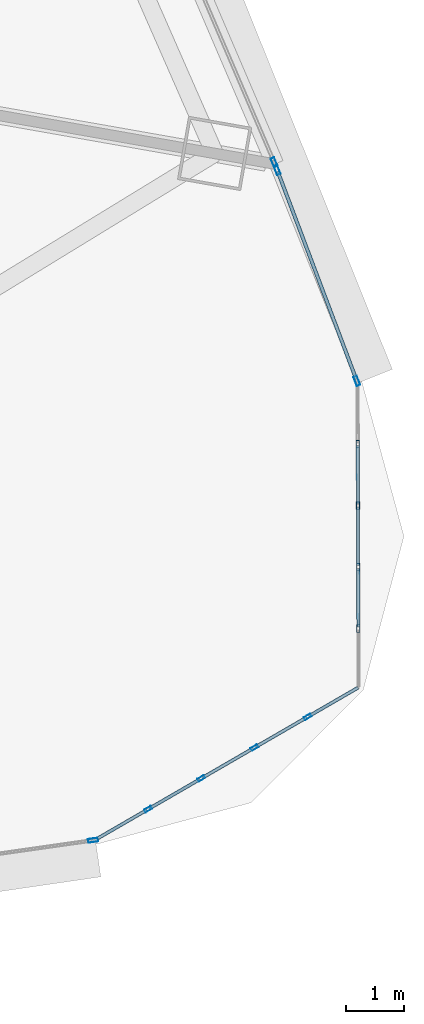
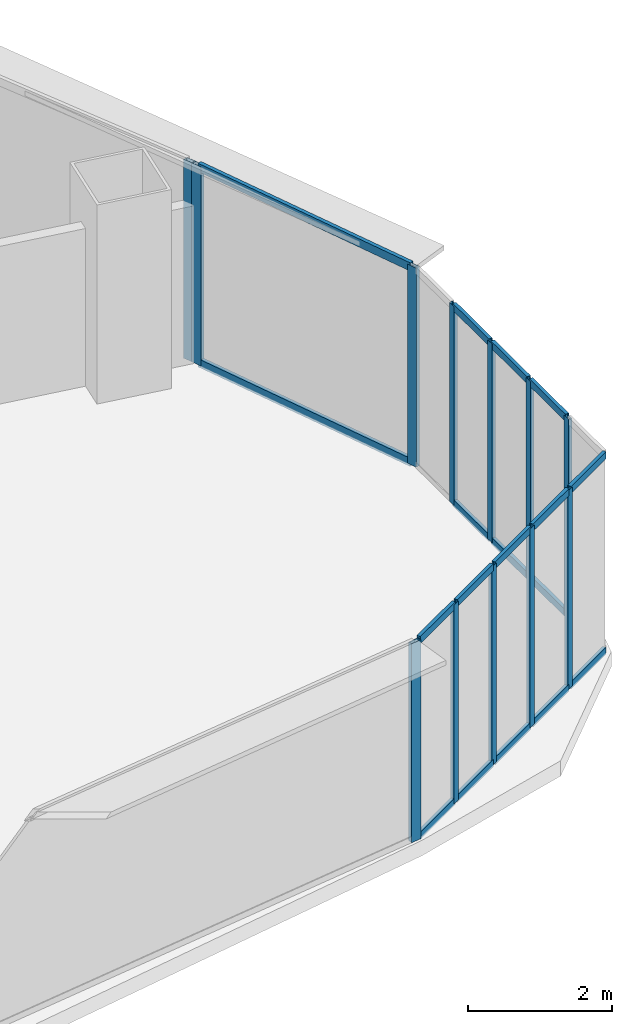
# One storey, part 22 of 40: 30 members, 5 elements without a shape of their own.
"""IFC4 building model written with IfcOpenShell, lengths in metres."""

from ifc_helpers import new_model, si_unit, direction, frame, origin, origin_2d, place, context, subcontext, project, spatial, hollow_rectangle, extrude, source, transform, mapped, material, layer, layer_set, material_profile, profile_set, type_object, element, aggregate, save


model = new_model("IFC4")

# Units and contexts
model_context = context("Model", 3, precision=1e-05, world=origin(), true_north=direction((0.0, 1.0)))
body_context = subcontext(model_context, "Body", "Model", "MODEL_VIEW")
ifc_project = project(units=[si_unit("LENGTHUNIT", "METRE"), si_unit("AREAUNIT", "SQUARE_METRE"), si_unit("VOLUMEUNIT", "CUBIC_METRE"), si_unit("PLANEANGLEUNIT", "RADIAN"), si_unit("MASSUNIT", "GRAM", prefix="KILO"), si_unit("THERMODYNAMICTEMPERATUREUNIT", "KELVIN"), si_unit("POWERUNIT", "WATT")], contexts=[model_context])

# Site, building, storey
site_placement = place(None, origin())
site = spatial("IfcSite", under=ifc_project, at=site_placement, CompositionType="ELEMENT")
building_placement = place(site_placement, origin())
building = spatial("IfcBuilding", under=site, at=building_placement, Name="Yunzhuo Pagoda Commons", CompositionType="ELEMENT")
storey_placement = place(building_placement, frame((0.0, 0.0, 66.699951171875)))
storey = spatial("IfcBuildingStorey", under=building, at=storey_placement, Name="L17", CompositionType="ELEMENT", Elevation=66.699951171875)

# Curtain wall, member
ifc_material = material(Name="Anodized aluminium 6063-T6", Category="aluminium")
ifc_layer_1 = layer(ifc_material, 0.1650390625)
ifc_layer_set_1 = layer_set([ifc_layer_1], Name="Anodized aluminium 6063-T6")
curtain_wall_type_1 = type_object("IfcCurtainWallType", Name="CW-LOW Low-Zone Ribbon Curtain Wall", PredefinedType="NOTDEFINED", material=ifc_layer_set_1)
curtain_wall_1_placement = place(storey_placement, origin())
curtain_wall_1 = element("IfcCurtainWall", 1, at=curtain_wall_1_placement, inside=storey, type_object=curtain_wall_type_1, Name="L17 curtain wall CW-L17-F1B5", PredefinedType="NOTDEFINED")
ifc_material_profile_1 = material_profile(ifc_material, hollow_rectangle(XDim=0.06494140625, YDim=0.1650390625, WallThickness=0.00390625, at=origin_2d()), Name="Anodized aluminium 6063-T6")
ifc_profile_set_1 = profile_set([ifc_material_profile_1], Name="Anodized aluminium 6063-T6")
member_type_1 = type_object("IfcMemberType", Name="CW-LOW-M Mullion RHS 165x65x4", PredefinedType="MULLION", material=ifc_profile_set_1)
shared_shape_1 = source(origin(), body_context, "Body", "SweptSolid", [
    extrude(hollow_rectangle(XDim=0.06494140625, YDim=0.1650390625, WallThickness=0.00390625, at=origin_2d()), origin(), (0.0, 0.0, 1.0), 3.3701171875),
])
member_1_placement = place(storey_placement, frame((85.9619140625, 14.861083984375, 0.0), z_axis=(0.0, 0.0, 1.0), x_axis=(-0.141139872999, 0.989989664719, 0.0)))
member_1 = element("IfcMember", 2, at=member_1_placement, type_object=member_type_1, Name="CW mullion 2", PredefinedType="MULLION", context=body_context, shape_type="MappedRepresentation", body=[
    mapped(shared_shape_1, transform((0.0, 0.0, 0.0), scale=1.0)),
])
aggregate(curtain_wall_1, [member_1])

curtain_wall_2_placement = place(storey_placement, origin())
curtain_wall_2 = element("IfcCurtainWall", 3, at=curtain_wall_2_placement, inside=storey, type_object=curtain_wall_type_1, Name="L17 curtain wall CW-L17-F2B2", PredefinedType="NOTDEFINED")
member_2_placement = place(storey_placement, frame((89.06884765625, 26.486083984375, 0.0), z_axis=(0.0, 0.0, 1.0), x_axis=(-0.919121093161, -0.39397514656, 0.0)))
member_2 = element("IfcMember", 4, at=member_2_placement, type_object=member_type_1, Name="CW mullion 1", PredefinedType="MULLION", context=body_context, shape_type="MappedRepresentation", body=[
    mapped(shared_shape_1, transform((0.0, 0.0, 0.0), scale=1.0)),
])
aggregate(curtain_wall_2, [member_2])

# Curtain wall, members
curtain_wall_3_placement = place(storey_placement, origin())
curtain_wall_3 = element("IfcCurtainWall", 5, at=curtain_wall_3_placement, inside=storey, type_object=curtain_wall_type_1, Name="L17 curtain wall CW-L17-F2B1", PredefinedType="NOTDEFINED")
member_3_placement = place(storey_placement, frame((90.485595703125, 22.738525390625, 0.0), z_axis=(0.0, 0.0, 1.0), x_axis=(-0.9355133863, -0.353291245367, 0.0)))
member_3 = element("IfcMember", 6, at=member_3_placement, type_object=member_type_1, Name="CW mullion 1", PredefinedType="MULLION", context=body_context, shape_type="MappedRepresentation", body=[
    mapped(shared_shape_1, transform((0.0, 0.0, 0.0), scale=1.0)),
])
member_4_placement = place(storey_placement, frame((89.11962890625, 26.355712890625, 0.0), z_axis=(0.0, 0.0, 1.0), x_axis=(-0.9355133863, -0.353291245367, 0.0)))
member_4 = element("IfcMember", 7, at=member_4_placement, type_object=member_type_1, Name="CW mullion 2", PredefinedType="MULLION", context=body_context, shape_type="MappedRepresentation", body=[
    mapped(shared_shape_1, transform((0.0, 0.0, 0.0), scale=1.0)),
])

ifc_layer_2 = layer(ifc_material, 0.1298828125)
ifc_layer_set_2 = layer_set([ifc_layer_2], Name="Anodized aluminium 6063-T6")
curtain_wall_type_2 = type_object("IfcCurtainWallType", Name="CW-VTX Rounded Corner Curtain Wall", PredefinedType="NOTDEFINED", material=ifc_layer_set_2)
curtain_wall_4_placement = place(storey_placement, origin())
curtain_wall_4 = element("IfcCurtainWall", 8, at=curtain_wall_4_placement, inside=storey, type_object=curtain_wall_type_2, Name="L17 curtain wall CW-L17-VTX2S1", PredefinedType="NOTDEFINED")
ifc_material_profile_2 = material_profile(ifc_material, hollow_rectangle(XDim=0.054931640625, YDim=0.1298828125, WallThickness=0.00341796875, at=origin_2d()), Name="Anodized aluminium 6063-T6")
ifc_profile_set_2 = profile_set([ifc_material_profile_2], Name="Anodized aluminium 6063-T6")
member_type_2 = type_object("IfcMemberType", Name="CW-VTX-M Mullion RHS 130x55x3.5", PredefinedType="MULLION", material=ifc_profile_set_2)
shared_shape_2 = source(origin(), body_context, "Body", "SweptSolid", [
    extrude(hollow_rectangle(XDim=0.054931640625, YDim=0.1298828125, WallThickness=0.00341796875, at=origin_2d()), origin(), (0.0, 0.0, 1.0), 3.3701171875),
])
member_5_placement = place(storey_placement, frame((86.906494140625, 15.393798828125, 0.0), z_axis=(0.0, 0.0, 1.0), x_axis=(-0.501038514064, 0.865424986596, 0.0)))
member_5 = element("IfcMember", 9, at=member_5_placement, type_object=member_type_2, Name="CW mullion 2", PredefinedType="MULLION", context=body_context, shape_type="MappedRepresentation", body=[
    mapped(shared_shape_2, transform((0.0, 0.0, 0.0), scale=1.0)),
])
member_6_placement = place(storey_placement, frame((87.81884765625, 15.922119140625, 0.0), z_axis=(0.0, 0.0, 1.0), x_axis=(-0.501038514064, 0.865424986596, 0.0)))
member_6 = element("IfcMember", 10, at=member_6_placement, type_object=member_type_2, Name="CW mullion 3", PredefinedType="MULLION", context=body_context, shape_type="MappedRepresentation", body=[
    mapped(shared_shape_2, transform((0.0, 0.0, 0.0), scale=1.0)),
])
member_7_placement = place(storey_placement, frame((88.731201171875, 16.4501953125, 0.0), z_axis=(0.0, 0.0, 1.0), x_axis=(-0.501038514064, 0.865424986596, 0.0)))
member_7 = element("IfcMember", 11, at=member_7_placement, type_object=member_type_2, Name="CW mullion 4", PredefinedType="MULLION", context=body_context, shape_type="MappedRepresentation", body=[
    mapped(shared_shape_2, transform((0.0, 0.0, 0.0), scale=1.0)),
])
member_8_placement = place(storey_placement, frame((89.6435546875, 16.978515625, 0.0), z_axis=(0.0, 0.0, 1.0), x_axis=(-0.501038514064, 0.865424986596, 0.0)))
member_8 = element("IfcMember", 12, at=member_8_placement, type_object=member_type_2, Name="CW mullion 5", PredefinedType="MULLION", context=body_context, shape_type="MappedRepresentation", body=[
    mapped(shared_shape_2, transform((0.0, 0.0, 0.0), scale=1.0)),
])

curtain_wall_5_placement = place(storey_placement, origin())
curtain_wall_5 = element("IfcCurtainWall", 13, at=curtain_wall_5_placement, inside=storey, type_object=curtain_wall_type_2, Name="L17 curtain wall CW-L17-VTX2S2", PredefinedType="NOTDEFINED")
member_9_placement = place(storey_placement, frame((90.51220703125, 18.4912109375, 0.0), z_axis=(0.0, 0.0, 1.0), x_axis=(-0.999993571837, -0.003585566294, 0.0)))
member_9 = element("IfcMember", 14, at=member_9_placement, type_object=member_type_2, Name="CW mullion 2", PredefinedType="MULLION", context=body_context, shape_type="MappedRepresentation", body=[
    mapped(shared_shape_2, transform((0.0, 0.0, 0.0), scale=1.0)),
])
member_10_placement = place(storey_placement, frame((90.508544921875, 19.545654296875, 0.0), z_axis=(0.0, 0.0, 1.0), x_axis=(-0.999993571837, -0.003585566294, 0.0)))
member_10 = element("IfcMember", 15, at=member_10_placement, type_object=member_type_2, Name="CW mullion 3", PredefinedType="MULLION", context=body_context, shape_type="MappedRepresentation", body=[
    mapped(shared_shape_2, transform((0.0, 0.0, 0.0), scale=1.0)),
])
member_11_placement = place(storey_placement, frame((90.504638671875, 20.60009765625, 0.0), z_axis=(0.0, 0.0, 1.0), x_axis=(-0.999993571837, -0.003585566294, 0.0)))
member_11 = element("IfcMember", 16, at=member_11_placement, type_object=member_type_2, Name="CW mullion 4", PredefinedType="MULLION", context=body_context, shape_type="MappedRepresentation", body=[
    mapped(shared_shape_2, transform((0.0, 0.0, 0.0), scale=1.0)),
])
member_12_placement = place(storey_placement, frame((90.5009765625, 21.654052734375, 0.0), z_axis=(0.0, 0.0, 1.0), x_axis=(-0.999993571837, -0.003585566294, 0.0)))
member_12 = element("IfcMember", 17, at=member_12_placement, type_object=member_type_2, Name="CW mullion 5", PredefinedType="MULLION", context=body_context, shape_type="MappedRepresentation", body=[
    mapped(shared_shape_2, transform((0.0, 0.0, 0.0), scale=1.0)),
])

# Member
ifc_material_profile_3 = material_profile(ifc_material, hollow_rectangle(XDim=0.06005859375, YDim=0.139892578125, WallThickness=0.00341796875, at=origin_2d()), Name="Anodized aluminium 6063-T6")
ifc_profile_set_3 = profile_set([ifc_material_profile_3], Name="Anodized aluminium 6063-T6")
member_type_3 = type_object("IfcMemberType", Name="CW-LOW-T Transom RHS 140x60x3.5", PredefinedType="USERDEFINED", material=ifc_profile_set_3)
shared_shape_3 = source(origin(), body_context, "Body", "SweptSolid", [
    extrude(hollow_rectangle(XDim=0.06005859375, YDim=0.139892578125, WallThickness=0.00341796875, at=origin_2d()), origin(), (0.0, 0.0, 1.0), 3.80126953125),
])
member_13_placement = place(storey_placement, frame((90.47412109375, 22.76904296875, 0.0302734375), z_axis=(-0.353248184637, 0.935529646805, 0.0), x_axis=(-0.935529646805, -0.353248184637, 0.0)))
member_13 = element("IfcMember", 18, at=member_13_placement, type_object=member_type_3, Name="CW transom 1.1", ObjectType="TRANSOM", PredefinedType="USERDEFINED", context=body_context, shape_type="MappedRepresentation", body=[
    mapped(shared_shape_3, transform((0.0, 0.0, 0.0), scale=1.0)),
])

member_14_placement = place(storey_placement, frame((90.47412109375, 22.76904296875, 3.340087890625), z_axis=(-0.353248184637, 0.935529646805, 0.0), x_axis=(-0.935529646805, -0.353248184637, 0.0)))
member_14 = element("IfcMember", 19, at=member_14_placement, type_object=member_type_3, Name="CW transom 1.2", ObjectType="TRANSOM", PredefinedType="USERDEFINED", context=body_context, shape_type="MappedRepresentation", body=[
    mapped(shared_shape_3, transform((0.0, 0.0, 0.0), scale=1.0)),
])

aggregate(curtain_wall_3, [member_3, member_4, member_13, member_14])

ifc_material_profile_4 = material_profile(ifc_material, hollow_rectangle(XDim=0.054931640625, YDim=0.1201171875, WallThickness=0.00341796875, at=origin_2d()), Name="Anodized aluminium 6063-T6")
ifc_profile_set_4 = profile_set([ifc_material_profile_4], Name="Anodized aluminium 6063-T6")
member_type_4 = type_object("IfcMemberType", Name="CW-VTX-T Transom RHS 120x55x3.5", PredefinedType="USERDEFINED", material=ifc_profile_set_4)
shared_shape_4 = source(origin(), body_context, "Body", "SweptSolid", [
    extrude(hollow_rectangle(XDim=0.054931640625, YDim=0.1201171875, WallThickness=0.00341796875, at=origin_2d()), origin(), (0.0, 0.0, 1.0), 0.999267578125),
])
member_15_placement = place(storey_placement, frame((86.930419921875, 15.407470703125, 0.027587890625), z_axis=(0.86538725222, 0.501103685574, 0.0), x_axis=(-0.501103685574, 0.86538725222, 0.0)))
member_15 = element("IfcMember", 20, at=member_15_placement, type_object=member_type_4, Name="CW transom 2.1", ObjectType="TRANSOM", PredefinedType="USERDEFINED", context=body_context, shape_type="MappedRepresentation", body=[
    mapped(shared_shape_4, transform((0.0, 0.0, 0.0), scale=1.0)),
])

member_16_placement = place(storey_placement, frame((86.930419921875, 15.407470703125, 3.3427734375), z_axis=(0.86538725222, 0.501103685574, 0.0), x_axis=(-0.501103685574, 0.86538725222, 0.0)))
member_16 = element("IfcMember", 21, at=member_16_placement, type_object=member_type_4, Name="CW transom 2.2", ObjectType="TRANSOM", PredefinedType="USERDEFINED", context=body_context, shape_type="MappedRepresentation", body=[
    mapped(shared_shape_4, transform((0.0, 0.0, 0.0), scale=1.0)),
])

member_17_placement = place(storey_placement, frame((88.755126953125, 16.4638671875, 0.027587890625), z_axis=(0.86538725222, 0.501103685574, 0.0), x_axis=(-0.501103685574, 0.86538725222, 0.0)))
member_17 = element("IfcMember", 22, at=member_17_placement, type_object=member_type_4, Name="CW transom 4.1", ObjectType="TRANSOM", PredefinedType="USERDEFINED", context=body_context, shape_type="MappedRepresentation", body=[
    mapped(shared_shape_4, transform((0.0, 0.0, 0.0), scale=1.0)),
])

member_18_placement = place(storey_placement, frame((88.755126953125, 16.4638671875, 3.3427734375), z_axis=(0.86538725222, 0.501103685574, 0.0), x_axis=(-0.501103685574, 0.86538725222, 0.0)))
member_18 = element("IfcMember", 23, at=member_18_placement, type_object=member_type_4, Name="CW transom 4.2", ObjectType="TRANSOM", PredefinedType="USERDEFINED", context=body_context, shape_type="MappedRepresentation", body=[
    mapped(shared_shape_4, transform((0.0, 0.0, 0.0), scale=1.0)),
])

member_19_placement = place(storey_placement, frame((90.51220703125, 18.518798828125, 0.027587890625), z_axis=(-0.00366476894, 0.999993284712, 0.0), x_axis=(-0.999993284712, -0.00366476894, 0.0)))
member_19 = element("IfcMember", 24, at=member_19_placement, type_object=member_type_4, Name="CW transom 2.1", ObjectType="TRANSOM", PredefinedType="USERDEFINED", context=body_context, shape_type="MappedRepresentation", body=[
    mapped(shared_shape_4, transform((0.0, 0.0, 0.0), scale=1.0)),
])

member_20_placement = place(storey_placement, frame((90.51220703125, 18.518798828125, 3.3427734375), z_axis=(-0.00366476894, 0.999993284712, 0.0), x_axis=(-0.999993284712, -0.00366476894, 0.0)))
member_20 = element("IfcMember", 25, at=member_20_placement, type_object=member_type_4, Name="CW transom 2.2", ObjectType="TRANSOM", PredefinedType="USERDEFINED", context=body_context, shape_type="MappedRepresentation", body=[
    mapped(shared_shape_4, transform((0.0, 0.0, 0.0), scale=1.0)),
])

member_21_placement = place(storey_placement, frame((90.50830078125, 19.572998046875, 0.027587890625), z_axis=(-0.00366476894, 0.999993284712, 0.0), x_axis=(-0.999993284712, -0.00366476894, 0.0)))
member_21 = element("IfcMember", 26, at=member_21_placement, type_object=member_type_4, Name="CW transom 3.1", ObjectType="TRANSOM", PredefinedType="USERDEFINED", context=body_context, shape_type="MappedRepresentation", body=[
    mapped(shared_shape_4, transform((0.0, 0.0, 0.0), scale=1.0)),
])

member_22_placement = place(storey_placement, frame((90.50830078125, 19.572998046875, 3.3427734375), z_axis=(-0.00366476894, 0.999993284712, 0.0), x_axis=(-0.999993284712, -0.00366476894, 0.0)))
member_22 = element("IfcMember", 27, at=member_22_placement, type_object=member_type_4, Name="CW transom 3.2", ObjectType="TRANSOM", PredefinedType="USERDEFINED", context=body_context, shape_type="MappedRepresentation", body=[
    mapped(shared_shape_4, transform((0.0, 0.0, 0.0), scale=1.0)),
])

member_23_placement = place(storey_placement, frame((90.504638671875, 20.627197265625, 0.027587890625), z_axis=(-0.00366476894, 0.999993284712, 0.0), x_axis=(-0.999993284712, -0.00366476894, 0.0)))
member_23 = element("IfcMember", 28, at=member_23_placement, type_object=member_type_4, Name="CW transom 4.1", ObjectType="TRANSOM", PredefinedType="USERDEFINED", context=body_context, shape_type="MappedRepresentation", body=[
    mapped(shared_shape_4, transform((0.0, 0.0, 0.0), scale=1.0)),
])

member_24_placement = place(storey_placement, frame((90.504638671875, 20.627197265625, 3.3427734375), z_axis=(-0.00366476894, 0.999993284712, 0.0), x_axis=(-0.999993284712, -0.00366476894, 0.0)))
member_24 = element("IfcMember", 29, at=member_24_placement, type_object=member_type_4, Name="CW transom 4.2", ObjectType="TRANSOM", PredefinedType="USERDEFINED", context=body_context, shape_type="MappedRepresentation", body=[
    mapped(shared_shape_4, transform((0.0, 0.0, 0.0), scale=1.0)),
])

aggregate(curtain_wall_5, [member_9, member_10, member_11, member_12, member_19, member_20, member_21, member_22, member_23, member_24])

shared_shape_5 = source(origin(), body_context, "Body", "SweptSolid", [
    extrude(hollow_rectangle(XDim=0.054931640625, YDim=0.1201171875, WallThickness=0.00341796875, at=origin_2d()), origin(), (0.0, 0.0, 1.0), 0.97216796875),
])
member_25_placement = place(storey_placement, frame((86.041748046875, 14.89306640625, 0.027587890625), z_axis=(0.865432016859, 0.501026370758, 0.0), x_axis=(-0.501026370758, 0.865432016859, 0.0)))
member_25 = element("IfcMember", 30, at=member_25_placement, type_object=member_type_4, Name="CW transom 1.1", ObjectType="TRANSOM", PredefinedType="USERDEFINED", context=body_context, shape_type="MappedRepresentation", body=[
    mapped(shared_shape_5, transform((0.0, 0.0, 0.0), scale=1.0)),
])

member_26_placement = place(storey_placement, frame((86.041748046875, 14.89306640625, 3.3427734375), z_axis=(0.865432016859, 0.501026370758, 0.0), x_axis=(-0.501026370758, 0.865432016859, 0.0)))
member_26 = element("IfcMember", 31, at=member_26_placement, type_object=member_type_4, Name="CW transom 1.2", ObjectType="TRANSOM", PredefinedType="USERDEFINED", context=body_context, shape_type="MappedRepresentation", body=[
    mapped(shared_shape_5, transform((0.0, 0.0, 0.0), scale=1.0)),
])

shared_shape_6 = source(origin(), body_context, "Body", "SweptSolid", [
    extrude(hollow_rectangle(XDim=0.054931640625, YDim=0.1201171875, WallThickness=0.00341796875, at=origin_2d()), origin(), (0.0, 0.0, 1.0), 0.99951171875),
])
member_27_placement = place(storey_placement, frame((87.8427734375, 15.935791015625, 0.027587890625), z_axis=(0.86544858313, 0.500997754445, 0.0), x_axis=(-0.500997754445, 0.86544858313, 0.0)))
member_27 = element("IfcMember", 32, at=member_27_placement, type_object=member_type_4, Name="CW transom 3.1", ObjectType="TRANSOM", PredefinedType="USERDEFINED", context=body_context, shape_type="MappedRepresentation", body=[
    mapped(shared_shape_6, transform((0.0, 0.0, 0.0), scale=1.0)),
])

member_28_placement = place(storey_placement, frame((87.8427734375, 15.935791015625, 3.3427734375), z_axis=(0.86544858313, 0.500997754445, 0.0), x_axis=(-0.500997754445, 0.86544858313, 0.0)))
member_28 = element("IfcMember", 33, at=member_28_placement, type_object=member_type_4, Name="CW transom 3.2", ObjectType="TRANSOM", PredefinedType="USERDEFINED", context=body_context, shape_type="MappedRepresentation", body=[
    mapped(shared_shape_6, transform((0.0, 0.0, 0.0), scale=1.0)),
])

shared_shape_7 = source(origin(), body_context, "Body", "SweptSolid", [
    extrude(hollow_rectangle(XDim=0.054931640625, YDim=0.1201171875, WallThickness=0.00341796875, at=origin_2d()), origin(), (0.0, 0.0, 1.0), 0.97119140625),
])
member_29_placement = place(storey_placement, frame((89.667724609375, 16.992431640625, 0.027587890625), z_axis=(0.865460703151, 0.50097681713, 0.0), x_axis=(-0.50097681713, 0.865460703151, 0.0)))
member_29 = element("IfcMember", 34, at=member_29_placement, type_object=member_type_4, Name="CW transom 5.1", ObjectType="TRANSOM", PredefinedType="USERDEFINED", context=body_context, shape_type="MappedRepresentation", body=[
    mapped(shared_shape_7, transform((0.0, 0.0, 0.0), scale=1.0)),
])

member_30_placement = place(storey_placement, frame((89.667724609375, 16.992431640625, 3.3427734375), z_axis=(0.865460703151, 0.50097681713, 0.0), x_axis=(-0.50097681713, 0.865460703151, 0.0)))
member_30 = element("IfcMember", 35, at=member_30_placement, type_object=member_type_4, Name="CW transom 5.2", ObjectType="TRANSOM", PredefinedType="USERDEFINED", context=body_context, shape_type="MappedRepresentation", body=[
    mapped(shared_shape_7, transform((0.0, 0.0, 0.0), scale=1.0)),
])

aggregate(curtain_wall_4, [member_5, member_6, member_7, member_8, member_25, member_26, member_15, member_16, member_27, member_28, member_17, member_18, member_29, member_30])

save(model, "model.ifc")
